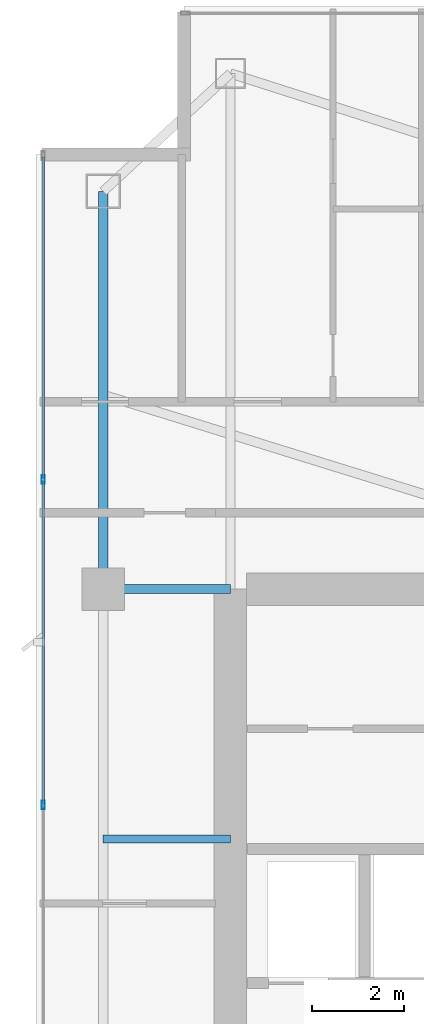
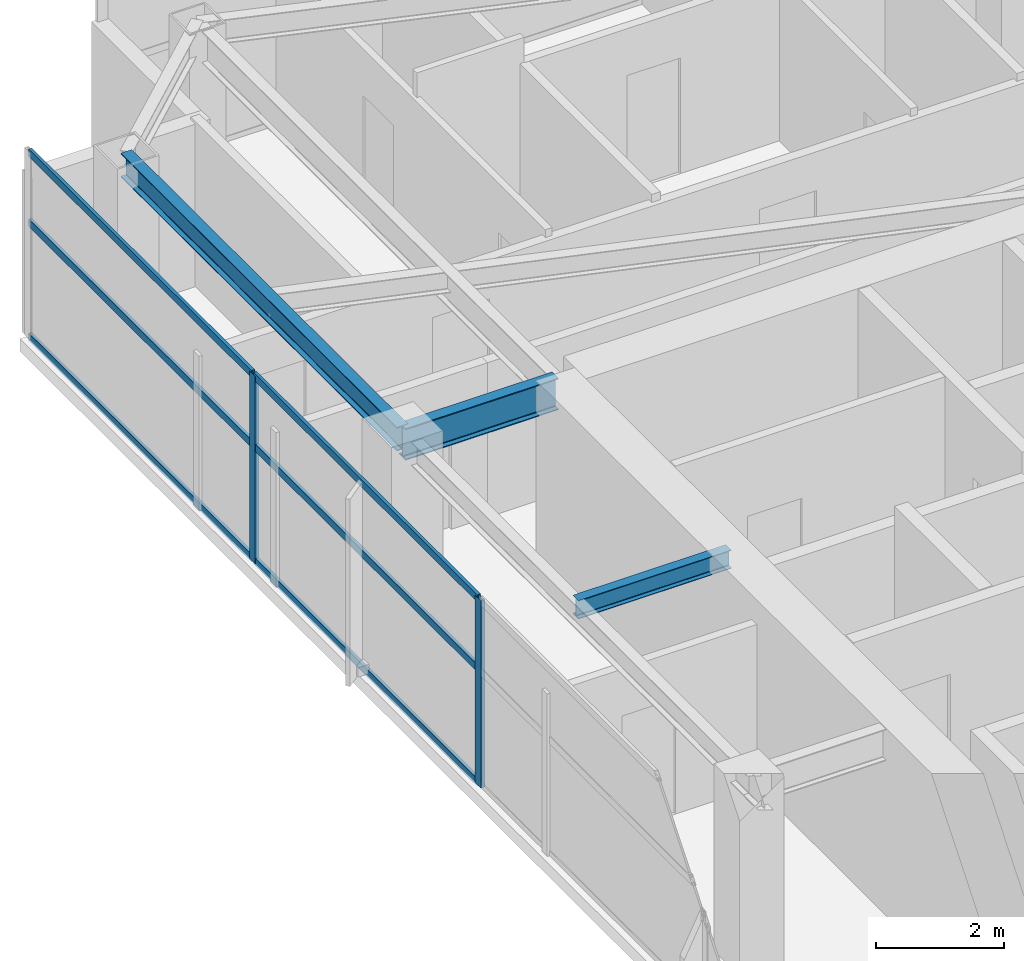
# One storey, part 17 of 30: 8 members, 3 beams, 1 element without a shape of its own.
"""IFC4 building model written with IfcOpenShell, lengths in metres."""

from ifc_helpers import new_model, si_unit, direction, frame, origin, origin_2d, place, context, subcontext, project, spatial, hollow_rectangle, i_section, extrude, material, layer, layer_set, material_profile, profile_set, type_object, element, aggregate, save


model = new_model("IFC4")

# Units and contexts
model_context = context("Model", 3, precision=1e-05, world=origin(), true_north=direction((0.0, 1.0)))
body_context = subcontext(model_context, "Body", "Model", "MODEL_VIEW")
ifc_project = project(units=[si_unit("LENGTHUNIT", "METRE"), si_unit("AREAUNIT", "SQUARE_METRE"), si_unit("VOLUMEUNIT", "CUBIC_METRE"), si_unit("PLANEANGLEUNIT", "RADIAN"), si_unit("MASSUNIT", "GRAM", prefix="KILO")], contexts=[model_context])

# Site, building, storey
site_placement = place(None, origin())
site = spatial("IfcSite", under=ifc_project, at=site_placement, CompositionType="ELEMENT")
building_placement = place(site_placement, origin())
building = spatial("IfcBuilding", under=site, at=building_placement, Name="Calvorn Quay Hotel", CompositionType="ELEMENT")
storey_placement = place(building_placement, frame((0.0, 0.0, 203.39990234375)))
storey = spatial("IfcBuildingStorey", under=building, at=storey_placement, Name="L50", CompositionType="ELEMENT", Elevation=203.39990234375)

# Beams
ifc_material_1 = material(Name="Steel Q355B", Category="steel")
ifc_material_profile_1 = material_profile(ifc_material_1, i_section(OverallWidth=0.199951171875, OverallDepth=0.60009765625, WebThickness=0.010986328125, FlangeThickness=0.01708984375, FilletRadius=0.01806640625, at=origin_2d()), Name="HN600x200x11x17")
ifc_profile_set_1 = profile_set([ifc_material_profile_1], Name="Steel Q355B")
beam_type_1 = type_object("IfcBeamType", Name="BM-GIRD-TYP", PredefinedType="BEAM", material=ifc_profile_set_1)
beam_1_placement = place(storey_placement, frame((1.449951171875, 38.39990234375, 3.239990234375), z_axis=(1.0, 0.0, 0.0), x_axis=(0.0, 1.0, 0.0)))
element("IfcBeam", 1, at=beam_1_placement, inside=storey, type_object=beam_type_1, Name="Beam BG-L50-W3", PredefinedType="BEAM", context=body_context, shape_type="SweptSolid", body=[
    extrude(i_section(OverallWidth=0.199951171875, OverallDepth=0.60009765625, WebThickness=0.010986328125, FlangeThickness=0.01708984375, FilletRadius=0.01806640625, at=origin_2d()), origin(), (0.0, 0.0, 1.0), 2.75),
])
ifc_material_2 = material(Name="Steel Q355B", Category="steel")
ifc_material_profile_2 = material_profile(ifc_material_2, i_section(OverallWidth=0.175048828125, OverallDepth=0.35009765625, WebThickness=0.007080078125, FlangeThickness=0.010986328125, FilletRadius=0.013916015625, at=origin_2d()), Name="HN350x175x7x11")
ifc_profile_set_2 = profile_set([ifc_material_profile_2], Name="Steel Q355B")
beam_type_2 = type_object("IfcBeamType", Name="BM-JOIST-SEC", PredefinedType="JOIST", material=ifc_profile_set_2)
beam_2_placement = place(storey_placement, frame((1.449951171875, 33.0, 3.364990234375), z_axis=(1.0, 0.0, 0.0), x_axis=(0.0, 1.0, 0.0)))
element("IfcBeam", 2, at=beam_2_placement, inside=storey, type_object=beam_type_2, Name="Beam BJ-L50-W4", PredefinedType="JOIST", context=body_context, shape_type="SweptSolid", body=[
    extrude(i_section(OverallWidth=0.175048828125, OverallDepth=0.35009765625, WebThickness=0.007080078125, FlangeThickness=0.010986328125, FilletRadius=0.013916015625, at=origin_2d()), origin(), (0.0, 0.0, 1.0), 2.75),
])
ifc_material_3 = material(Name="Steel Q355B", Category="steel")
ifc_material_profile_3 = material_profile(ifc_material_3, i_section(OverallWidth=0.199951171875, OverallDepth=0.449951171875, WebThickness=0.009033203125, FlangeThickness=0.013916015625, FilletRadius=0.01611328125, at=origin_2d()), Name="HN450x200x9x14")
ifc_profile_set_3 = profile_set([ifc_material_profile_3], Name="Steel Q355B")
beam_type_3 = type_object("IfcBeamType", Name="BM-SPANDREL-Z3", PredefinedType="SPANDREL", material=ifc_profile_set_3)
beam_3_placement = place(storey_placement, frame((1.449951171875, 38.39990234375, 3.315185546875), z_axis=(0.0, 1.0, 0.0), x_axis=(-1.0, 0.0, 0.0)))
element("IfcBeam", 3, at=beam_3_placement, inside=storey, type_object=beam_type_3, Name="Beam BSP-L50-W4", PredefinedType="SPANDREL", context=body_context, shape_type="SweptSolid", body=[
    extrude(i_section(OverallWidth=0.199951171875, OverallDepth=0.449951171875, WebThickness=0.009033203125, FlangeThickness=0.013916015625, FilletRadius=0.01611328125, at=origin_2d()), origin(), (0.0, 0.0, 1.0), 8.60009765625),
])

# Curtain wall, members
ifc_material_4 = material(Name="Champagne Bronze Anodised Aluminium and Low-E Glass", Category="aluminium")
ifc_layer = layer(ifc_material_4, 0.219970703125)
ifc_layer_set = layer_set([ifc_layer], Name="CW-SYS-Z3")
curtain_wall_type = type_object("IfcCurtainWallType", Name="CW-SYS-Z3", PredefinedType="NOTDEFINED", material=ifc_layer_set)
curtain_wall_placement = place(storey_placement, origin())
curtain_wall = element("IfcCurtainWall", 4, at=curtain_wall_placement, inside=storey, type_object=curtain_wall_type, Name="Tower West Curtain Wall (L50)", PredefinedType="NOTDEFINED")
ifc_material_5 = material(Name="Champagne Bronze Anodised Aluminium 6063-T6", Category="aluminium")
ifc_material_profile_4 = material_profile(ifc_material_5, hollow_rectangle(XDim=0.068115234375, YDim=0.18505859375, WallThickness=0.00390625, at=origin_2d()), Name="ALU-M185x68x4")
ifc_profile_set_4 = profile_set([ifc_material_profile_4], Name="Champagne Bronze Anodised Aluminium 6063-T6")
member_type_1 = type_object("IfcMemberType", Name="CW-SYS-Z3-MUL", PredefinedType="MULLION", material=ifc_profile_set_4)
member_1_placement = place(storey_placement, frame((0.14990234375, 33.7333984375, 0.0), z_axis=(0.0, 0.0, 1.0), x_axis=(-1.0, 0.0, 0.0)))
member_1 = element("IfcMember", 5, at=member_1_placement, type_object=member_type_1, Name="CW-L50-W mullion 5", PredefinedType="MULLION", context=body_context, shape_type="SweptSolid", body=[
    extrude(hollow_rectangle(XDim=0.068115234375, YDim=0.18505859375, WallThickness=0.00390625, at=origin_2d()), origin(), (0.0, 0.0, 1.0), 3.56005859375),
])
member_2_placement = place(storey_placement, frame((0.14990234375, 40.7666015625, 0.0), z_axis=(0.0, 0.0, 1.0), x_axis=(-1.0, 0.0, 0.0)))
member_2 = element("IfcMember", 6, at=member_2_placement, type_object=member_type_1, Name="CW-L50-W mullion 6", PredefinedType="MULLION", context=body_context, shape_type="SweptSolid", body=[
    extrude(hollow_rectangle(XDim=0.068115234375, YDim=0.18505859375, WallThickness=0.00390625, at=origin_2d()), origin(), (0.0, 0.0, 1.0), 3.56005859375),
])
ifc_material_6 = material(Name="Champagne Bronze Anodised Aluminium 6063-T6", Category="aluminium")
ifc_material_profile_5 = material_profile(ifc_material_6, hollow_rectangle(XDim=0.05810546875, YDim=0.139892578125, WallThickness=0.003173828125, at=origin_2d()), Name="ALU-T140x58x3.2")
ifc_profile_set_5 = profile_set([ifc_material_profile_5], Name="Champagne Bronze Anodised Aluminium 6063-T6")
member_type_2 = type_object("IfcMemberType", Name="CW-SYS-Z3-TRN", PredefinedType="USERDEFINED", material=ifc_profile_set_5)
member_3_placement = place(storey_placement, frame((0.14990234375, 33.763427734375, 0.030029296875), z_axis=(0.0, 1.0, 0.0), x_axis=(-1.0, 0.0, 0.0)))
member_3 = element("IfcMember", 7, at=member_3_placement, type_object=member_type_2, Name="CW-L50-W transom 5.1", ObjectType="TRANSOM", PredefinedType="USERDEFINED", context=body_context, shape_type="SweptSolid", body=[
    extrude(hollow_rectangle(XDim=0.05810546875, YDim=0.139892578125, WallThickness=0.003173828125, at=origin_2d()), origin(), (0.0, 0.0, 1.0), 6.97314453125),
])
member_4_placement = place(storey_placement, frame((0.14990234375, 33.763427734375, 2.2001953125), z_axis=(0.0, 1.0, 0.0), x_axis=(-1.0, 0.0, 0.0)))
member_4 = element("IfcMember", 8, at=member_4_placement, type_object=member_type_2, Name="CW-L50-W transom 5.2", ObjectType="TRANSOM", PredefinedType="USERDEFINED", context=body_context, shape_type="SweptSolid", body=[
    extrude(hollow_rectangle(XDim=0.05810546875, YDim=0.139892578125, WallThickness=0.003173828125, at=origin_2d()), origin(), (0.0, 0.0, 1.0), 6.97314453125),
])
member_5_placement = place(storey_placement, frame((0.14990234375, 33.763427734375, 3.530029296875), z_axis=(0.0, 1.0, 0.0), x_axis=(-1.0, 0.0, 0.0)))
member_5 = element("IfcMember", 9, at=member_5_placement, type_object=member_type_2, Name="CW-L50-W transom 5.3", ObjectType="TRANSOM", PredefinedType="USERDEFINED", context=body_context, shape_type="SweptSolid", body=[
    extrude(hollow_rectangle(XDim=0.05810546875, YDim=0.139892578125, WallThickness=0.003173828125, at=origin_2d()), origin(), (0.0, 0.0, 1.0), 6.97314453125),
])
member_6_placement = place(storey_placement, frame((0.14990234375, 40.796630859375, 0.030029296875), z_axis=(0.0, 1.0, 0.0), x_axis=(-1.0, 0.0, 0.0)))
member_6 = element("IfcMember", 10, at=member_6_placement, type_object=member_type_2, Name="CW-L50-W transom 6.1", ObjectType="TRANSOM", PredefinedType="USERDEFINED", context=body_context, shape_type="SweptSolid", body=[
    extrude(hollow_rectangle(XDim=0.05810546875, YDim=0.139892578125, WallThickness=0.003173828125, at=origin_2d()), origin(), (0.0, 0.0, 1.0), 6.943359375),
])
member_7_placement = place(storey_placement, frame((0.14990234375, 40.796630859375, 2.2001953125), z_axis=(0.0, 1.0, 0.0), x_axis=(-1.0, 0.0, 0.0)))
member_7 = element("IfcMember", 11, at=member_7_placement, type_object=member_type_2, Name="CW-L50-W transom 6.2", ObjectType="TRANSOM", PredefinedType="USERDEFINED", context=body_context, shape_type="SweptSolid", body=[
    extrude(hollow_rectangle(XDim=0.05810546875, YDim=0.139892578125, WallThickness=0.003173828125, at=origin_2d()), origin(), (0.0, 0.0, 1.0), 6.943359375),
])
member_8_placement = place(storey_placement, frame((0.14990234375, 40.796630859375, 3.530029296875), z_axis=(0.0, 1.0, 0.0), x_axis=(-1.0, 0.0, 0.0)))
member_8 = element("IfcMember", 12, at=member_8_placement, type_object=member_type_2, Name="CW-L50-W transom 6.3", ObjectType="TRANSOM", PredefinedType="USERDEFINED", context=body_context, shape_type="SweptSolid", body=[
    extrude(hollow_rectangle(XDim=0.05810546875, YDim=0.139892578125, WallThickness=0.003173828125, at=origin_2d()), origin(), (0.0, 0.0, 1.0), 6.943359375),
])
aggregate(curtain_wall, [member_1, member_2, member_3, member_4, member_5, member_6, member_7, member_8])

save(model, "model.ifc")
